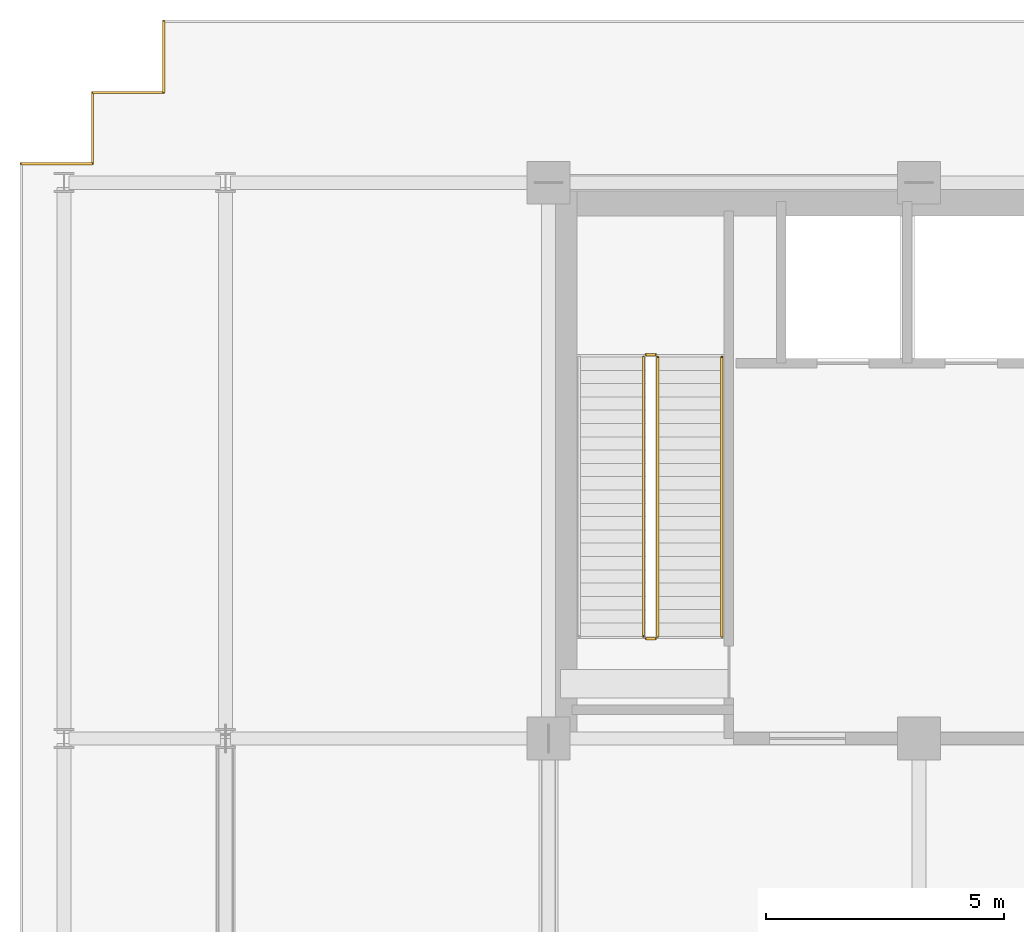
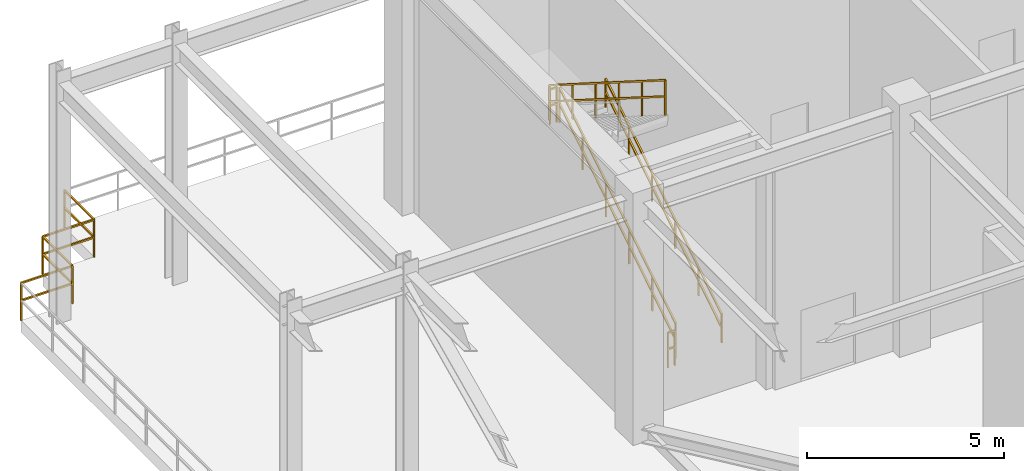
# One storey, part 14 of 16: 9 railings.
"""IFC4 building model written with IfcOpenShell, lengths in metres."""

from ifc_helpers import new_model, si_unit, direction, frame, origin, origin_2d, place, context, subcontext, project, spatial, rectangle, extrude, material, type_object, element, save


model = new_model("IFC4")

# Units and contexts
model_context = context("Model", 3, precision=1e-05, world=origin(), true_north=direction((0.0, 1.0)))
body_context = subcontext(model_context, "Body", "Model", "MODEL_VIEW")
ifc_project = project(units=[si_unit("LENGTHUNIT", "METRE"), si_unit("AREAUNIT", "SQUARE_METRE"), si_unit("VOLUMEUNIT", "CUBIC_METRE"), si_unit("PLANEANGLEUNIT", "RADIAN"), si_unit("MASSUNIT", "GRAM", prefix="KILO")], contexts=[model_context])

# Site, building, storey
site_placement = place(None, origin())
site = spatial("IfcSite", under=ifc_project, at=site_placement, CompositionType="ELEMENT")
building_placement = place(site_placement, origin())
building = spatial("IfcBuilding", under=site, at=building_placement, Name="Trelvane Seafront Commons", CompositionType="ELEMENT")
storey_placement = place(building_placement, frame((0.0, 0.0, 73.89990234375)))
storey = spatial("IfcBuildingStorey", under=building, at=storey_placement, Name="L19", CompositionType="ELEMENT", Elevation=73.89990234375)

# Railings
ifc_material = material(Name="Stainless steel balustrade", Category="steel")
railing_type_1 = type_object("IfcRailingType", Name="ARCH-RAIL-BAL1150", PredefinedType="BALUSTRADE", material=ifc_material)
railing_1_placement = place(storey_placement, frame((7.5, 48.5, 0.0)))
element("IfcRailing", 1, at=railing_1_placement, inside=storey, type_object=railing_type_1, Name="RL-L19-PERIM-12", PredefinedType="BALUSTRADE", context=body_context, shape_type="SweptSolid", body=[
    extrude(rectangle(XDim=0.048095703125, YDim=0.048095703125, at=origin_2d()), frame((0.0, 0.0, 1.15576171875), z_axis=(0.0, -1.0, 0.0), x_axis=(1.0, 0.0, 0.0)), (0.0, 0.0, 1.0), 1.5),
    extrude(rectangle(XDim=0.048095703125, YDim=0.048095703125, at=origin_2d()), frame((0.0, 0.0, 0.613525390625), z_axis=(0.0, -1.0, 0.0), x_axis=(1.0, 0.0, 0.0)), (0.0, 0.0, 1.0), 1.5),
    extrude(rectangle(XDim=0.0419921875, YDim=0.0419921875, at=origin_2d()), origin(), (0.0, 0.0, 1.0), 1.15576171875),
    extrude(rectangle(XDim=0.0419921875, YDim=0.0419921875, at=origin_2d()), frame((0.0, -1.5, 0.0)), (0.0, 0.0, 1.0), 1.15576171875),
])
railing_2_placement = place(storey_placement, frame((7.5, 47.0, 0.0)))
element("IfcRailing", 2, at=railing_2_placement, inside=storey, type_object=railing_type_1, Name="RL-L19-PERIM-13", PredefinedType="BALUSTRADE", context=body_context, shape_type="SweptSolid", body=[
    extrude(rectangle(XDim=0.048095703125, YDim=0.048095703125, at=origin_2d()), frame((0.0, 0.0, 1.15576171875), z_axis=(-1.0, 0.0, 0.0), x_axis=(0.0, -1.0, 0.0)), (0.0, 0.0, 1.0), 1.5),
    extrude(rectangle(XDim=0.048095703125, YDim=0.048095703125, at=origin_2d()), frame((0.0, 0.0, 0.613525390625), z_axis=(-1.0, 0.0, 0.0), x_axis=(0.0, -1.0, 0.0)), (0.0, 0.0, 1.0), 1.5),
    extrude(rectangle(XDim=0.0419921875, YDim=0.0419921875, at=origin_2d()), origin(), (0.0, 0.0, 1.0), 1.15576171875),
    extrude(rectangle(XDim=0.0419921875, YDim=0.0419921875, at=origin_2d()), frame((-1.5, 0.0, 0.0)), (0.0, 0.0, 1.0), 1.15576171875),
])
railing_3_placement = place(storey_placement, frame((6.0, 47.0, 0.0)))
element("IfcRailing", 3, at=railing_3_placement, inside=storey, type_object=railing_type_1, Name="RL-L19-PERIM-14", PredefinedType="BALUSTRADE", context=body_context, shape_type="SweptSolid", body=[
    extrude(rectangle(XDim=0.048095703125, YDim=0.048095703125, at=origin_2d()), frame((0.0, 0.0, 1.15576171875), z_axis=(0.0, -1.0, 0.0), x_axis=(1.0, 0.0, 0.0)), (0.0, 0.0, 1.0), 1.5),
    extrude(rectangle(XDim=0.048095703125, YDim=0.048095703125, at=origin_2d()), frame((0.0, 0.0, 0.613525390625), z_axis=(0.0, -1.0, 0.0), x_axis=(1.0, 0.0, 0.0)), (0.0, 0.0, 1.0), 1.5),
    extrude(rectangle(XDim=0.0419921875, YDim=0.0419921875, at=origin_2d()), origin(), (0.0, 0.0, 1.0), 1.15576171875),
    extrude(rectangle(XDim=0.0419921875, YDim=0.0419921875, at=origin_2d()), frame((0.0, -1.5, 0.0)), (0.0, 0.0, 1.0), 1.15576171875),
])
railing_4_placement = place(storey_placement, frame((6.0, 45.5, 0.0)))
element("IfcRailing", 4, at=railing_4_placement, inside=storey, type_object=railing_type_1, Name="RL-L19-PERIM-15", PredefinedType="BALUSTRADE", context=body_context, shape_type="SweptSolid", body=[
    extrude(rectangle(XDim=0.048095703125, YDim=0.048095703125, at=origin_2d()), frame((0.0, 0.0, 1.15576171875), z_axis=(-1.0, 0.0, 0.0), x_axis=(0.0, -1.0, 0.0)), (0.0, 0.0, 1.0), 1.5),
    extrude(rectangle(XDim=0.048095703125, YDim=0.048095703125, at=origin_2d()), frame((0.0, 0.0, 0.613525390625), z_axis=(-1.0, 0.0, 0.0), x_axis=(0.0, -1.0, 0.0)), (0.0, 0.0, 1.0), 1.5),
    extrude(rectangle(XDim=0.0419921875, YDim=0.0419921875, at=origin_2d()), origin(), (0.0, 0.0, 1.0), 1.15576171875),
    extrude(rectangle(XDim=0.0419921875, YDim=0.0419921875, at=origin_2d()), frame((-1.5, 0.0, 0.0)), (0.0, 0.0, 1.0), 1.15576171875),
])
railing_type_2 = type_object("IfcRailingType", Name="ARCH-SRL-GUARD", PredefinedType="GUARDRAIL", material=ifc_material)
railing_5_placement = place(storey_placement, frame((17.89990234375, 35.550048828125, 0.177490234375)))
element("IfcRailing", 5, at=railing_5_placement, inside=storey, type_object=railing_type_2, Name="L19 ST-1 stair guard 1", PredefinedType="GUARDRAIL", context=body_context, shape_type="SweptSolid", body=[
    extrude(rectangle(XDim=0.048095703125, YDim=0.048095703125, at=origin_2d()), frame((0.0, 0.0, 1.076171875), z_axis=(0.0, 0.844901525001, 0.534921875652), x_axis=(-1.0, 0.0, 0.0)), (0.0, 0.0, 1.0), 6.959228515625),
    extrude(rectangle(XDim=0.048095703125, YDim=0.048095703125, at=origin_2d()), frame((0.0, 0.0, 0.572021484375), z_axis=(0.0, 0.844901525001, 0.534921875652), x_axis=(-1.0, 0.0, 0.0)), (0.0, 0.0, 1.0), 6.959228515625),
    extrude(rectangle(XDim=0.0419921875, YDim=0.0419921875, at=origin_2d()), origin(), (0.0, 0.0, 1.0), 1.076171875),
    extrude(rectangle(XDim=0.0419921875, YDim=0.0419921875, at=origin_2d()), frame((0.0, 1.176025390625, 0.74462890625)), (0.0, 0.0, 1.0), 1.076171875),
    extrude(rectangle(XDim=0.0419921875, YDim=0.0419921875, at=origin_2d()), frame((0.0, 2.35205078125, 1.489013671875)), (0.0, 0.0, 1.0), 1.076171875),
    extrude(rectangle(XDim=0.0419921875, YDim=0.0419921875, at=origin_2d()), frame((0.0, 3.52783203125, 2.233642578125)), (0.0, 0.0, 1.0), 1.076171875),
    extrude(rectangle(XDim=0.0419921875, YDim=0.0419921875, at=origin_2d()), frame((0.0, 4.703857421875, 2.97802734375)), (0.0, 0.0, 1.0), 1.076171875),
    extrude(rectangle(XDim=0.0419921875, YDim=0.0419921875, at=origin_2d()), frame((0.0, 5.8798828125, 3.72265625)), (0.0, 0.0, 1.0), 1.076171875),
])
railing_6_placement = place(storey_placement, frame((17.85009765625, 41.47998046875, 3.900146484375)))
element("IfcRailing", 6, at=railing_6_placement, inside=storey, type_object=railing_type_2, Name="L19 ST-1 stair guard 2", PredefinedType="GUARDRAIL", context=body_context, shape_type="SweptSolid", body=[
    extrude(rectangle(XDim=0.048095703125, YDim=0.048095703125, at=origin_2d()), frame((0.0, 0.0, 1.076171875), z_axis=(-1.0, 0.0, 0.0), x_axis=(0.0, -1.0, 0.0)), (0.0, 0.0, 1.0), 0.2001953125),
    extrude(rectangle(XDim=0.048095703125, YDim=0.048095703125, at=origin_2d()), frame((0.0, 0.0, 0.572021484375), z_axis=(-1.0, 0.0, 0.0), x_axis=(0.0, -1.0, 0.0)), (0.0, 0.0, 1.0), 0.2001953125),
    extrude(rectangle(XDim=0.0419921875, YDim=0.0419921875, at=origin_2d()), origin(), (0.0, 0.0, 1.0), 1.076171875),
    extrude(rectangle(XDim=0.0419921875, YDim=0.0419921875, at=origin_2d()), frame((-0.2001953125, 0.0, 0.0)), (0.0, 0.0, 1.0), 1.076171875),
])
railing_7_placement = place(storey_placement, frame((17.60009765625, 41.429931640625, 4.077392578125)))
element("IfcRailing", 7, at=railing_7_placement, inside=storey, type_object=railing_type_2, Name="L19 ST-1 stair guard 3", PredefinedType="GUARDRAIL", context=body_context, shape_type="SweptSolid", body=[
    extrude(rectangle(XDim=0.048095703125, YDim=0.048095703125, at=origin_2d()), frame((0.0, 0.0, 1.076171875), z_axis=(0.0, -0.844901525001, 0.534921875652), x_axis=(1.0, 0.0, 0.0)), (0.0, 0.0, 1.0), 6.959228515625),
    extrude(rectangle(XDim=0.048095703125, YDim=0.048095703125, at=origin_2d()), frame((0.0, 0.0, 0.572021484375), z_axis=(0.0, -0.844901525001, 0.534921875652), x_axis=(1.0, 0.0, 0.0)), (0.0, 0.0, 1.0), 6.959228515625),
    extrude(rectangle(XDim=0.0419921875, YDim=0.0419921875, at=origin_2d()), origin(), (0.0, 0.0, 1.0), 1.076171875),
    extrude(rectangle(XDim=0.0419921875, YDim=0.0419921875, at=origin_2d()), frame((0.0, -1.176025390625, 0.74462890625)), (0.0, 0.0, 1.0), 1.076171875),
    extrude(rectangle(XDim=0.0419921875, YDim=0.0419921875, at=origin_2d()), frame((0.0, -2.35205078125, 1.489013671875)), (0.0, 0.0, 1.0), 1.076171875),
    extrude(rectangle(XDim=0.0419921875, YDim=0.0419921875, at=origin_2d()), frame((0.0, -3.52783203125, 2.233642578125)), (0.0, 0.0, 1.0), 1.076171875),
    extrude(rectangle(XDim=0.0419921875, YDim=0.0419921875, at=origin_2d()), frame((0.0, -4.703857421875, 2.97802734375)), (0.0, 0.0, 1.0), 1.076171875),
    extrude(rectangle(XDim=0.0419921875, YDim=0.0419921875, at=origin_2d()), frame((0.0, -5.8798828125, 3.72265625)), (0.0, 0.0, 1.0), 1.076171875),
])
railing_8_placement = place(storey_placement, frame((17.85009765625, 35.5, 0.0)))
element("IfcRailing", 8, at=railing_8_placement, inside=storey, type_object=railing_type_2, Name="L19 ST-1 stair guard 4", PredefinedType="GUARDRAIL", context=body_context, shape_type="SweptSolid", body=[
    extrude(rectangle(XDim=0.048095703125, YDim=0.048095703125, at=origin_2d()), frame((0.0, 0.0, 1.076171875), z_axis=(-1.0, 0.0, 0.0), x_axis=(0.0, -1.0, 0.0)), (0.0, 0.0, 1.0), 0.2001953125),
    extrude(rectangle(XDim=0.048095703125, YDim=0.048095703125, at=origin_2d()), frame((0.0, 0.0, 0.572021484375), z_axis=(-1.0, 0.0, 0.0), x_axis=(0.0, -1.0, 0.0)), (0.0, 0.0, 1.0), 0.2001953125),
    extrude(rectangle(XDim=0.0419921875, YDim=0.0419921875, at=origin_2d()), origin(), (0.0, 0.0, 1.0), 1.076171875),
    extrude(rectangle(XDim=0.0419921875, YDim=0.0419921875, at=origin_2d()), frame((-0.2001953125, 0.0, 0.0)), (0.0, 0.0, 1.0), 1.076171875),
])
railing_type_3 = type_object("IfcRailingType", Name="ARCH-SRL-HAND", PredefinedType="HANDRAIL", material=ifc_material)
railing_9_placement = place(storey_placement, frame((19.25, 35.550048828125, 0.177490234375)))
element("IfcRailing", 9, at=railing_9_placement, inside=storey, type_object=railing_type_3, Name="L19 ST-1 stair handrail 1", PredefinedType="HANDRAIL", context=body_context, shape_type="SweptSolid", body=[
    extrude(rectangle(XDim=0.048095703125, YDim=0.048095703125, at=origin_2d()), frame((0.0, 0.0, 0.8759765625), z_axis=(0.0, 0.844901525001, 0.534921875652), x_axis=(-1.0, 0.0, 0.0)), (0.0, 0.0, 1.0), 6.959228515625),
    extrude(rectangle(XDim=0.048095703125, YDim=0.048095703125, at=origin_2d()), frame((0.0, 0.0, 0.468017578125), z_axis=(0.0, 0.844901525001, 0.534921875652), x_axis=(-1.0, 0.0, 0.0)), (0.0, 0.0, 1.0), 6.959228515625),
    extrude(rectangle(XDim=0.0419921875, YDim=0.0419921875, at=origin_2d()), origin(), (0.0, 0.0, 1.0), 0.8759765625),
    extrude(rectangle(XDim=0.0419921875, YDim=0.0419921875, at=origin_2d()), frame((0.0, 1.176025390625, 0.74462890625)), (0.0, 0.0, 1.0), 0.8759765625),
    extrude(rectangle(XDim=0.0419921875, YDim=0.0419921875, at=origin_2d()), frame((0.0, 2.35205078125, 1.489013671875)), (0.0, 0.0, 1.0), 0.8759765625),
    extrude(rectangle(XDim=0.0419921875, YDim=0.0419921875, at=origin_2d()), frame((0.0, 3.52783203125, 2.233642578125)), (0.0, 0.0, 1.0), 0.8759765625),
    extrude(rectangle(XDim=0.0419921875, YDim=0.0419921875, at=origin_2d()), frame((0.0, 4.703857421875, 2.97802734375)), (0.0, 0.0, 1.0), 0.8759765625),
    extrude(rectangle(XDim=0.0419921875, YDim=0.0419921875, at=origin_2d()), frame((0.0, 5.8798828125, 3.72265625)), (0.0, 0.0, 1.0), 0.8759765625),
])

save(model, "model.ifc")
